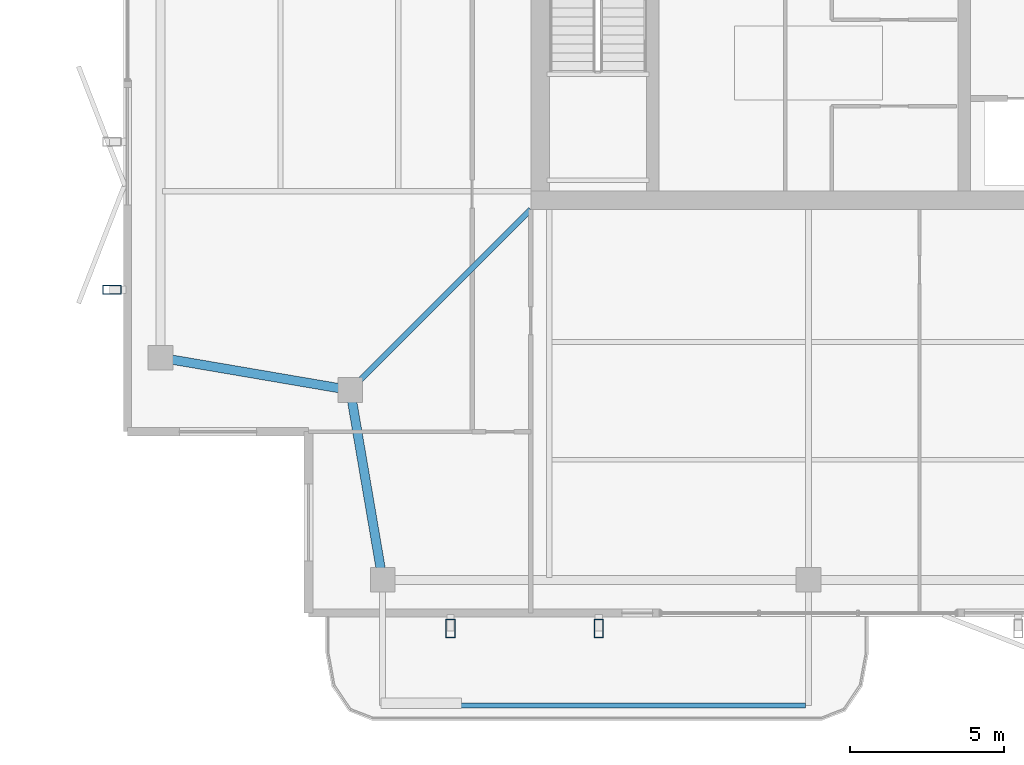
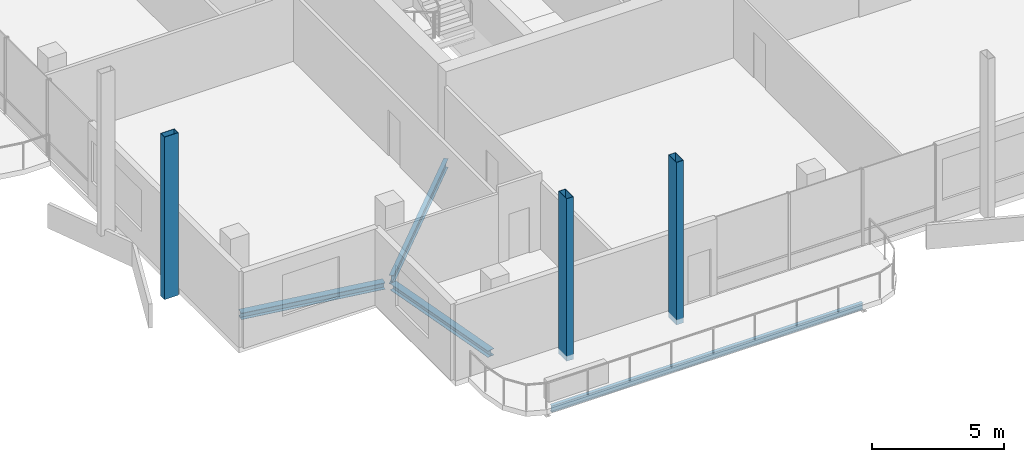
# One storey, part 2 of 22: 4 beams, 3 members.
"""IFC4 building model written with IfcOpenShell, lengths in metres."""

from ifc_helpers import new_model, si_unit, direction, frame, origin, origin_2d, place, context, subcontext, project, spatial, hollow_rectangle, i_section, extrude, material, material_profile, profile_set, type_object, element, save


model = new_model("IFC4")

# Units and contexts
model_context = context("Model", 3, precision=1e-05, world=origin(), true_north=direction((0.0, 1.0)))
body_context = subcontext(model_context, "Body", "Model", "MODEL_VIEW")
ifc_project = project(units=[si_unit("LENGTHUNIT", "METRE"), si_unit("AREAUNIT", "SQUARE_METRE"), si_unit("VOLUMEUNIT", "CUBIC_METRE"), si_unit("PLANEANGLEUNIT", "RADIAN"), si_unit("MASSUNIT", "GRAM", prefix="KILO")], contexts=[model_context])

# Site, building, storey
site_placement = place(None, origin())
site = spatial("IfcSite", under=ifc_project, at=site_placement, CompositionType="ELEMENT")
building_placement = place(site_placement, origin())
building = spatial("IfcBuilding", under=site, at=building_placement, Name="Belovzor Exchange Tower", CompositionType="ELEMENT")
storey_placement = place(building_placement, frame((0.0, 0.0, 336.75)))
storey = spatial("IfcBuildingStorey", under=building, at=storey_placement, Name="L84", CompositionType="ELEMENT", Elevation=336.75)

# Beam
ifc_material_1 = material(Name="Steel S355", Category="steel")
ifc_material_profile_1 = material_profile(ifc_material_1, i_section(OverallWidth=0.14990234375, OverallDepth=0.300048828125, WebThickness=0.007080078125, FlangeThickness=0.0107421875, at=origin_2d()))
ifc_profile_set_1 = profile_set([ifc_material_profile_1], Name="Steel S355")
beam_type_1 = type_object("IfcBeamType", Name="Planted Balcony Fascia Edge Beam IPE 300", PredefinedType="BEAM", material=ifc_profile_set_1)
beam_1_placement = place(storey_placement, frame((15.10009765625, 3.72998046875, -0.389892578125), z_axis=(1.0, 0.0, 0.0), x_axis=(0.0, 1.0, 0.0)))
element("IfcBeam", 1, at=beam_1_placement, inside=storey, type_object=beam_type_1, Name="BC-300 Planted Balcony Fascia Edge Beam IPE 300", PredefinedType="BEAM", context=body_context, shape_type="SweptSolid", body=[
    extrude(i_section(OverallWidth=0.14990234375, OverallDepth=0.300048828125, WebThickness=0.007080078125, FlangeThickness=0.0107421875, at=origin_2d()), origin(), (0.0, 0.0, 1.0), 13.599853515625),
])

# Members
ifc_material_2 = material(Name="Extruded Architectural Terracotta on Steel S355 Carrier", Category="masonry")
ifc_material_profile_2 = material_profile(ifc_material_2, hollow_rectangle(XDim=0.300048828125, YDim=0.60009765625, WallThickness=0.01611328125, at=origin_2d()))
ifc_profile_set_2 = profile_set([ifc_material_profile_2], Name="Extruded Architectural Terracotta on Steel S355 Carrier")
member_type = type_object("IfcMemberType", Name="Upper Crown Terracotta Fin Assembly 550", PredefinedType="USERDEFINED", material=ifc_profile_set_2)
for number, where, z_axis, x_axis, name in (
    (2, (17.199951171875, 6.22509765625, -0.239990234375), (0.0, 0.0, 1.0), (1.0, 0.0, 0.0), "FIN-TC055 Terracotta Facade Fin L84 S1"),
    (3, (6.22509765625, 17.199951171875, -0.239990234375), (0.0, 0.0, 1.0), (0.0, 1.0, 0.0), "FIN-TC055 Terracotta Facade Fin L84 W1"),
    (4, (22.0, 6.22509765625, -0.239990234375), (0.0, 0.0, 1.0), (1.0, 0.0, 0.0), "FIN-TC055 Terracotta Facade Fin L84 S2"),
):
    element("IfcMember", number, at=place(storey_placement, frame(where, z_axis=z_axis, x_axis=x_axis)), inside=storey, type_object=member_type, Name=name, ObjectType="FIN", PredefinedType="USERDEFINED", context=body_context, shape_type="SweptSolid", body=[
        extrude(hollow_rectangle(XDim=0.300048828125, YDim=0.60009765625, WallThickness=0.01611328125, at=origin_2d()), origin(), (0.0, 0.0, 1.0), 7.5),
    ])

# Beams
ifc_material_3 = material(Name="Steel S355", Category="steel")
ifc_material_profile_3 = material_profile(ifc_material_3, i_section(OverallWidth=0.179931640625, OverallDepth=0.39990234375, WebThickness=0.008544921875, FlangeThickness=0.013427734375, at=origin_2d()))
ifc_profile_set_3 = profile_set([ifc_material_profile_3], Name="Steel S355")
beam_type_2 = type_object("IfcBeamType", Name="Zone 5-6 Radial Composite Floor Beam IPE 400", PredefinedType="BEAM", material=ifc_profile_set_3)
beam_2_placement = place(storey_placement, frame((19.800048828125, 19.800048828125, -0.43994140625), z_axis=(-0.707106781187, -0.707106781187, 0.0), x_axis=(0.707106781187, -0.707106781187, 0.0)))
element("IfcBeam", 5, at=beam_2_placement, inside=storey, type_object=beam_type_2, Name="FB-400 Zone 5-6 Radial Composite Floor Beam IPE 400", PredefinedType="BEAM", context=body_context, shape_type="SweptSolid", body=[
    extrude(i_section(OverallWidth=0.179931640625, OverallDepth=0.39990234375, WebThickness=0.008544921875, FlangeThickness=0.013427734375, at=origin_2d()), origin(), (0.0, 0.0, 1.0), 7.990478515625),
])
ifc_material_4 = material(Name="Steel S355", Category="steel")
ifc_material_profile_4 = material_profile(ifc_material_4, i_section(OverallWidth=0.300048828125, OverallDepth=0.300048828125, WebThickness=0.008544921875, FlangeThickness=0.013916015625, at=origin_2d()))
ifc_profile_set_4 = profile_set([ifc_material_profile_4], Name="Steel S355")
beam_type_3 = type_object("IfcBeamType", Name="Zone 6 Primary Girder HEA 300", PredefinedType="BEAM", material=ifc_profile_set_4)
for number, where, z_axis, x_axis, name in (
    (6, (13.987060546875, 13.73291015625, -0.389892578125), (0.168289478013, -0.985737618025, 0.0), (0.985737618025, 0.168289478013, 0.0), "FG-Z6 Zone 6 Primary Girder HEA 300"),
    (7, (8.01708984375, 14.962890625, -0.389892578125), (0.985737618025, -0.168289478013, 0.0), (0.168289478013, 0.985737618025, 0.0), "FG-Z6 Zone 6 Primary Girder HEA 300"),
):
    element("IfcBeam", number, at=place(storey_placement, frame(where, z_axis=z_axis, x_axis=x_axis)), inside=storey, type_object=beam_type_3, Name=name, PredefinedType="BEAM", context=body_context, shape_type="SweptSolid", body=[
        extrude(i_section(OverallWidth=0.300048828125, OverallDepth=0.300048828125, WebThickness=0.008544921875, FlangeThickness=0.013916015625, at=origin_2d()), origin(), (0.0, 0.0, 1.0), 5.798583984375),
    ])

save(model, "model.ifc")
